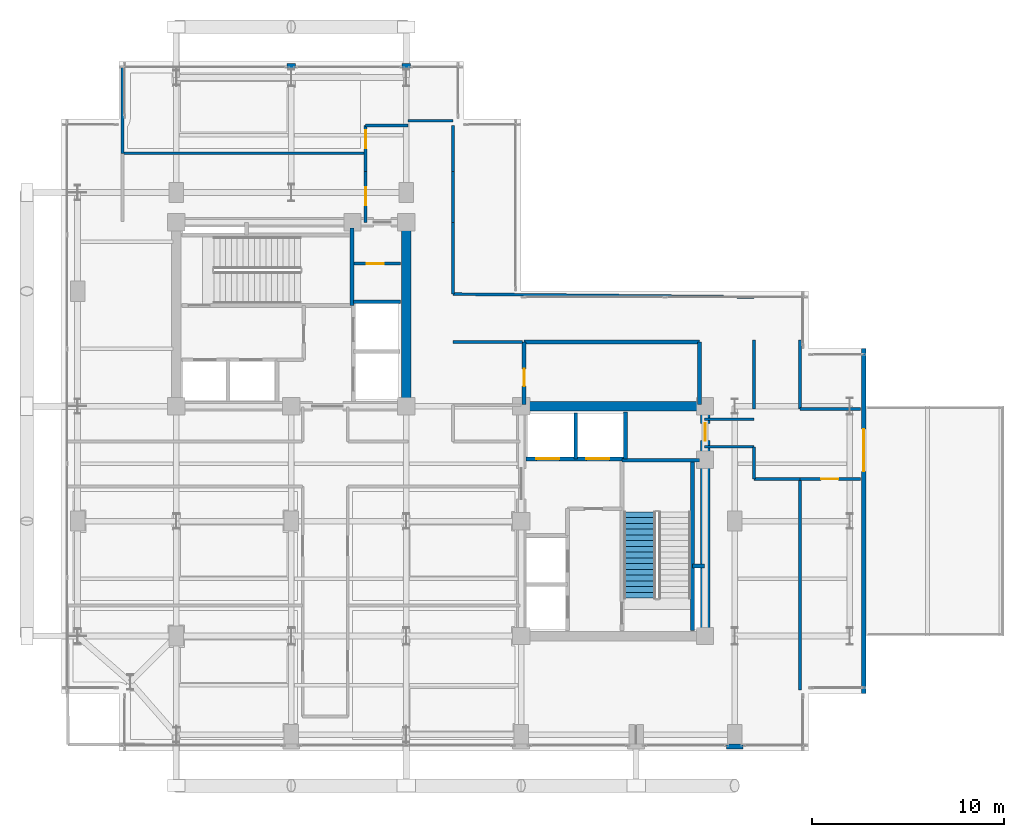
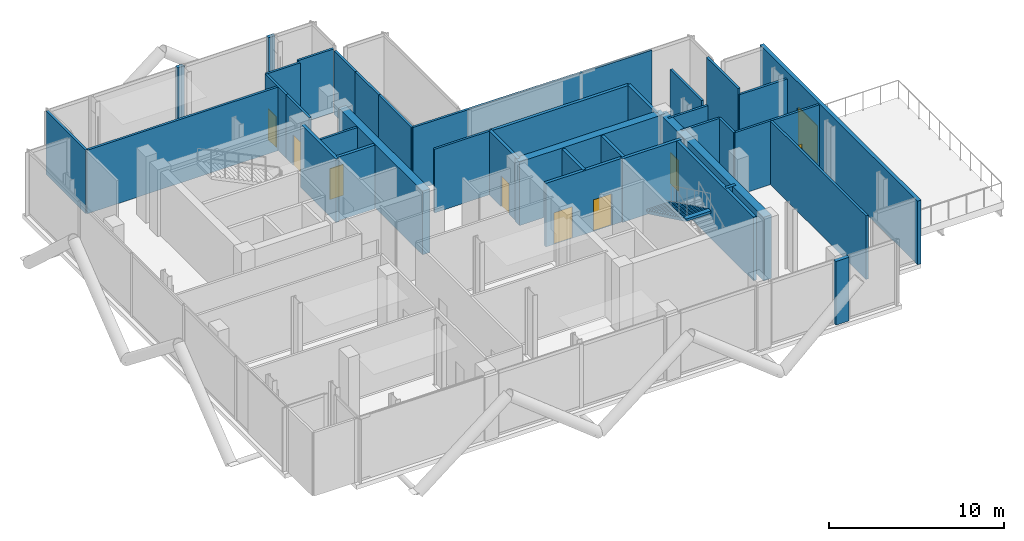
# One storey, part 15 of 19: 39 walls, 9 doors, 1 stair flight, 9 openings, 1 element without a shape of its own.
"""IFC4 building model written with IfcOpenShell, lengths in metres."""

from ifc_helpers import new_model, si_unit, direction, frame, frame_2d, origin, place, context, subcontext, project, spatial, polyline, rectangle, outline, extrude, material, layer, layer_set, type_object, element, fill, aggregate, save


model = new_model("IFC4")

# Units and contexts
model_context = context("Model", 3, precision=1e-05, world=origin(), true_north=direction((0.0, 1.0)))
body_context = subcontext(model_context, "Body", "Model", "MODEL_VIEW")
ifc_project = project(units=[si_unit("LENGTHUNIT", "METRE"), si_unit("AREAUNIT", "SQUARE_METRE"), si_unit("VOLUMEUNIT", "CUBIC_METRE"), si_unit("PLANEANGLEUNIT", "RADIAN"), si_unit("MASSUNIT", "GRAM", prefix="KILO"), si_unit("THERMODYNAMICTEMPERATUREUNIT", "KELVIN"), si_unit("POWERUNIT", "WATT")], contexts=[model_context])

# Site, building, storey
site_placement = place(None, origin())
site = spatial("IfcSite", under=ifc_project, at=site_placement, CompositionType="ELEMENT")
building_placement = place(site_placement, origin())
building = spatial("IfcBuilding", under=site, at=building_placement, Name="Svarakhadi Broadcast Tower", CompositionType="ELEMENT")
storey_placement = place(building_placement, frame((0.0, 0.0, 204.0)))
storey = spatial("IfcBuildingStorey", under=building, at=storey_placement, Name="L50", CompositionType="ELEMENT", Elevation=204.0)

# Wall, opening, door
ifc_material_1 = material(Name="Concrete C40/50 (IS 456 M50)", Category="concrete")
ifc_layer_1 = layer(ifc_material_1, 0.239990234375)
ifc_layer_set_1 = layer_set([ifc_layer_1], Name="Concrete C40/50 (IS 456 M50)")
wall_type_1 = type_object("IfcWallType", Name="Wall_Ext_240", PredefinedType="SOLIDWALL", material=ifc_layer_set_1)
wall_1_placement = place(storey_placement, frame((41.8798828125, 21.0, 0.0), z_axis=(0.0, 0.0, 1.0), x_axis=(0.0, -1.0, 0.0)))
wall_1 = element("IfcWall", 1, at=wall_1_placement, inside=storey, type_object=wall_type_1, Name="L50 Sky Pool Deck Access Wall", PredefinedType="SOLIDWALL", context=body_context, shape_type="SweptSolid", body=[
    extrude(rectangle(XDim=18.0, YDim=0.239990234375, at=frame_2d((9.0, 0.0))), origin(), (0.0, 0.0, 1.0), 4.43994140625),
])
opening_1_placement = place(wall_1_placement, frame((4.199951171875, 0.0, 0.0)))
opening_1 = element("IfcOpeningElement", 2, at=opening_1_placement, cuts=wall_1, Name="Opening ED-01", PredefinedType="OPENING", context=body_context, shape_type="SweptSolid", body=[
    extrude(rectangle(XDim=2.199951171875, YDim=2.60009765625, at=frame_2d((1.10009765625, 1.300048828125))), frame((0.0, 0.1298828125, 0.0), z_axis=(0.0, -1.0, 0.0), x_axis=(1.0, 0.0, 0.0)), (0.0, 0.0, 1.0), 0.260009765625),
])
ifc_material_2 = material(Name="Anodised Bronze Aluminium AA 6063-T6", Category="aluminium")
door_type_1 = type_object("IfcDoorType", Name="Door_Ext_ED01", OperationType="DOUBLE_DOOR_SINGLE_SWING", PredefinedType="DOOR", material=ifc_material_2)
door_1_placement = place(opening_1_placement, origin())
door_1 = element("IfcDoor", 3, at=door_1_placement, inside=storey, type_object=door_type_1, Name="L50 Cantilevered Sky Pool Deck Entrance Door", OperationType="DOUBLE_DOOR_SINGLE_SWING", OverallHeight=2.60009765625, OverallWidth=2.199951171875, PredefinedType="DOOR", context=body_context, shape_type="SweptSolid", body=[
    extrude(rectangle(XDim=2.199951171875, YDim=2.60009765625, at=frame_2d((1.10009765625, 1.300048828125))), frame((0.0, 0.02490234375, 0.0), z_axis=(0.0, -1.0, 0.0), x_axis=(1.0, 0.0, 0.0)), (0.0, 0.0, 1.0), 0.050048828125),
])
fill(opening_1, door_1)

# Walls
for number, where, z_axis, x_axis, name in (
    (4, (11.784912109375, 35.760009765625, 0.0), (0.0, 0.0, 1.0), (1.0, 0.0, 0.0), "L50 Perimeter Bronze Spandrel Closure Wall 01"),
    (5, (17.784912109375, 35.760009765625, 0.0), (0.0, 0.0, 1.0), (1.0, 0.0, 0.0), "L50 Perimeter Bronze Spandrel Closure Wall 02"),
):
    element("IfcWall", number, at=place(storey_placement, frame(where, z_axis=z_axis, x_axis=x_axis)), inside=storey, type_object=wall_type_1, Name=name, PredefinedType="SOLIDWALL", context=body_context, shape_type="SweptSolid", body=[
        extrude(rectangle(XDim=0.43017578125, YDim=0.239990234375, at=frame_2d((0.215087890625, 0.0))), origin(), (0.0, 0.0, 1.0), 4.43994140625),
    ])
wall_2_placement = place(storey_placement, frame((35.590087890625, 0.239990234375, 0.0), z_axis=(0.0, 0.0, 1.0), x_axis=(-1.0, 0.0, 0.0)))
element("IfcWall", 6, at=wall_2_placement, inside=storey, type_object=wall_type_1, Name="L50 Perimeter Bronze Spandrel Closure Wall 03", PredefinedType="SOLIDWALL", context=body_context, shape_type="SweptSolid", body=[
    extrude(rectangle(XDim=0.880126953125, YDim=0.239990234375, at=frame_2d((0.43994140625, 0.0))), origin(), (0.0, 0.0, 1.0), 4.43994140625),
])
ifc_layer_2 = layer(ifc_material_1, 0.199951171875)
ifc_layer_set_2 = layer_set([ifc_layer_2], Name="Concrete C40/50 (IS 456 M50)")
wall_type_2 = type_object("IfcWallType", Name="Wall_Fire_200", PredefinedType="SOLIDWALL", material=ifc_layer_set_2)
wall_3_placement = place(storey_placement, frame((32.93994140625, 9.659912109375, 0.0), z_axis=(0.0, 0.0, 1.0), x_axis=(1.0, 0.0, 0.0)))
element("IfcWall", 7, at=wall_3_placement, inside=storey, type_object=wall_type_2, Name="L50 HV Busduct Riser Shaft North Wall", PredefinedType="SOLIDWALL", context=body_context, shape_type="SweptSolid", body=[
    extrude(rectangle(XDim=0.64013671875, YDim=0.199951171875, at=frame_2d((0.320068359375, 0.0))), origin(), (0.0, 0.0, 1.0), 4.43994140625),
])

# Wall, opening, door
wall_4_placement = place(storey_placement, frame((24.14990234375, 18.10009765625, 0.0), z_axis=(0.0, 0.0, 1.0), x_axis=(0.0, 1.0, 0.0)))
wall_4 = element("IfcWall", 8, at=wall_4_placement, inside=storey, type_object=wall_type_2, Name="L50 Bank B Motor Room West Wall", PredefinedType="SOLIDWALL", context=body_context, shape_type="SweptSolid", body=[
    extrude(rectangle(XDim=3.25, YDim=0.199951171875, at=frame_2d((1.625, 0.0))), origin(), (0.0, 0.0, 1.0), 4.43994140625),
])
opening_2_placement = place(wall_4_placement, frame((0.949951171875, 0.0, 0.0)))
opening_2 = element("IfcOpeningElement", 9, at=opening_2_placement, cuts=wall_4, Name="Opening D-04", PredefinedType="OPENING", context=body_context, shape_type="SweptSolid", body=[
    extrude(rectangle(XDim=0.89990234375, YDim=2.14990234375, at=frame_2d((0.449951171875, 1.074951171875))), frame((0.0, 0.10986328125, 0.0), z_axis=(0.0, -1.0, 0.0), x_axis=(1.0, 0.0, 0.0)), (0.0, 0.0, 1.0), 0.219970703125),
])
ifc_material_3 = material(Name="Galvanised Powder-Coated Fire-Rated Steel Leaf", Category="steel")
door_type_2 = type_object("IfcDoorType", Name="Door_Fire_D04", OperationType="SINGLE_SWING_RIGHT", PredefinedType="DOOR", material=ifc_material_3)
door_2_placement = place(opening_2_placement, origin())
door_2 = element("IfcDoor", 10, at=door_2_placement, inside=storey, type_object=door_type_2, Name="L50 Bank B Lift Motor Room Door", OperationType="SINGLE_SWING_RIGHT", OverallHeight=2.14990234375, OverallWidth=0.89990234375, PredefinedType="DOOR", context=body_context, shape_type="SweptSolid", body=[
    extrude(rectangle(XDim=0.89990234375, YDim=2.14990234375, at=frame_2d((0.449951171875, 1.074951171875))), frame((0.0, 0.02490234375, 0.0), z_axis=(0.0, -1.0, 0.0), x_axis=(1.0, 0.0, 0.0)), (0.0, 0.0, 1.0), 0.050048828125),
])
fill(opening_2, door_2)

# Walls
wall_5_placement = place(storey_placement, frame((24.14990234375, 21.35009765625, 0.0), z_axis=(0.0, 0.0, 1.0), x_axis=(1.0, 0.0, 0.0)))
element("IfcWall", 11, at=wall_5_placement, inside=storey, type_object=wall_type_2, Name="L50 Bank B Motor Room North Wall", PredefinedType="SOLIDWALL", context=body_context, shape_type="SweptSolid", body=[
    extrude(rectangle(XDim=9.150146484375, YDim=0.199951171875, at=frame_2d((4.5751953125, 0.0))), origin(), (0.0, 0.0, 1.0), 4.43994140625),
])
wall_6_placement = place(storey_placement, frame((33.300048828125, 18.10009765625, 0.0), z_axis=(0.0, 0.0, 1.0), x_axis=(0.0, 1.0, 0.0)))
element("IfcWall", 12, at=wall_6_placement, inside=storey, type_object=wall_type_2, Name="L50 Bank B Motor Room East Wall", PredefinedType="SOLIDWALL", context=body_context, shape_type="SweptSolid", body=[
    extrude(rectangle(XDim=3.25, YDim=0.199951171875, at=frame_2d((1.625, 0.0))), origin(), (0.0, 0.0, 1.0), 4.43994140625),
])

# Wall, opening, door
ifc_material_4 = material(Name="Autoclaved Aerated Concrete Blockwork 150 mm", Category="masonry")
ifc_layer_3 = layer(ifc_material_4, 0.14990234375)
ifc_layer_set_3 = layer_set([ifc_layer_3], Name="Autoclaved Aerated Concrete Blockwork 150 mm")
wall_type_3 = type_object("IfcWallType", Name="Wall_Part_150", PredefinedType="PARTITIONING", material=ifc_layer_set_3)
wall_7_placement = place(storey_placement, frame((15.280029296875, 25.43994140625, 0.0), z_axis=(0.0, 0.0, 1.0), x_axis=(1.0, 0.0, 0.0)))
wall_7 = element("IfcWall", 13, at=wall_7_placement, inside=storey, type_object=wall_type_3, Name="L50 West Core Service Split Wall", PredefinedType="PARTITIONING", context=body_context, shape_type="SweptSolid", body=[
    extrude(rectangle(XDim=2.419921875, YDim=0.14990234375, at=frame_2d((1.2099609375, 0.0))), origin(), (0.0, 0.0, 1.0), 4.43994140625),
])
opening_3_placement = place(wall_7_placement, frame((0.64990234375, 0.0, 0.0)))
opening_3 = element("IfcOpeningElement", 14, at=opening_3_placement, cuts=wall_7, Name="Opening D-04", PredefinedType="OPENING", context=body_context, shape_type="SweptSolid", body=[
    extrude(rectangle(XDim=0.89990234375, YDim=2.14990234375, at=frame_2d((0.449951171875, 1.074951171875))), frame((0.0, 0.0849609375, 0.0), z_axis=(0.0, -1.0, 0.0), x_axis=(1.0, 0.0, 0.0)), (0.0, 0.0, 1.0), 0.169921875),
])
door_3_placement = place(opening_3_placement, origin())
door_3 = element("IfcDoor", 15, at=door_3_placement, inside=storey, type_object=door_type_2, Name="L50 West Core Inner Store Door", OperationType="SINGLE_SWING_RIGHT", OverallHeight=2.14990234375, OverallWidth=0.89990234375, PredefinedType="DOOR", context=body_context, shape_type="SweptSolid", body=[
    extrude(rectangle(XDim=0.89990234375, YDim=2.14990234375, at=frame_2d((0.449951171875, 1.074951171875))), frame((0.0, 0.02490234375, 0.0), z_axis=(0.0, -1.0, 0.0), x_axis=(1.0, 0.0, 0.0)), (0.0, 0.0, 1.0), 0.050048828125),
])
fill(opening_3, door_3)

wall_8_placement = place(storey_placement, frame((15.8798828125, 27.580078125, 0.0), z_axis=(0.0, 0.0, 1.0), x_axis=(0.0, 1.0, 0.0)))
wall_8 = element("IfcWall", 16, at=wall_8_placement, inside=storey, type_object=wall_type_3, Name="L50 Upper Tower Concourse Wall", PredefinedType="PARTITIONING", context=body_context, shape_type="SweptSolid", body=[
    extrude(rectangle(XDim=2.669921875, YDim=0.14990234375, at=frame_2d((1.3349609375, 0.0))), origin(), (0.0, 0.0, 1.0), 4.43994140625),
])
opening_4_placement = place(wall_8_placement, frame((0.89501953125, 0.0, 0.0)))
opening_4 = element("IfcOpeningElement", 17, at=opening_4_placement, cuts=wall_8, Name="Opening D-07", PredefinedType="OPENING", context=body_context, shape_type="SweptSolid", body=[
    extrude(rectangle(XDim=0.949951171875, YDim=2.14990234375, at=frame_2d((0.47509765625, 1.074951171875))), frame((0.0, 0.0849609375, 0.0), z_axis=(0.0, -1.0, 0.0), x_axis=(1.0, 0.0, 0.0)), (0.0, 0.0, 1.0), 0.169921875),
])
ifc_material_5 = material(Name="Solid-Core Teak Veneer Acoustic Timber Leaf", Category="wood")
door_type_3 = type_object("IfcDoorType", Name="Door_Office_D07", OperationType="SINGLE_SWING_RIGHT", PredefinedType="DOOR", material=ifc_material_5)
door_4_placement = place(opening_4_placement, origin())
door_4 = element("IfcDoor", 18, at=door_4_placement, inside=storey, type_object=door_type_3, Name="L50 L50 Private Cabana Relaxation Lounge Door", OperationType="SINGLE_SWING_RIGHT", OverallHeight=2.14990234375, OverallWidth=0.949951171875, PredefinedType="DOOR", context=body_context, shape_type="SweptSolid", body=[
    extrude(rectangle(XDim=0.949951171875, YDim=2.14990234375, at=frame_2d((0.47509765625, 1.074951171875))), frame((0.0, 0.02490234375, 0.0), z_axis=(0.0, -1.0, 0.0), x_axis=(1.0, 0.0, 0.0)), (0.0, 0.0, 1.0), 0.050048828125),
])
fill(opening_4, door_4)

wall_9_placement = place(storey_placement, frame((15.8798828125, 30.25, 0.0), z_axis=(0.0, 0.0, 1.0), x_axis=(0.0, 1.0, 0.0)))
wall_9 = element("IfcWall", 19, at=wall_9_placement, inside=storey, type_object=wall_type_3, Name="L50 Upper Tower Concourse Wall", PredefinedType="PARTITIONING", context=body_context, shape_type="SweptSolid", body=[
    extrude(rectangle(XDim=2.39990234375, YDim=0.14990234375, at=frame_2d((1.199951171875, 0.0))), origin(), (0.0, 0.0, 1.0), 4.43994140625),
])
opening_5_placement = place(wall_9_placement, frame((1.199951171875, 0.0, 0.0)))
opening_5 = element("IfcOpeningElement", 20, at=opening_5_placement, cuts=wall_9, Name="Opening D-06", PredefinedType="OPENING", context=body_context, shape_type="SweptSolid", body=[
    extrude(rectangle(XDim=0.949951171875, YDim=2.14990234375, at=frame_2d((0.47509765625, 1.074951171875))), frame((0.0, 0.0849609375, 0.0), z_axis=(0.0, -1.0, 0.0), x_axis=(1.0, 0.0, 0.0)), (0.0, 0.0, 1.0), 0.169921875),
])
door_type_4 = type_object("IfcDoorType", Name="Door_Office_D06", OperationType="SINGLE_SWING_LEFT", PredefinedType="DOOR", material=ifc_material_5)
door_5_placement = place(opening_5_placement, origin())
door_5 = element("IfcDoor", 21, at=door_5_placement, inside=storey, type_object=door_type_4, Name="L50 L50 Aquatic Club Attendant Office Door", OperationType="SINGLE_SWING_LEFT", OverallHeight=2.14990234375, OverallWidth=0.949951171875, PredefinedType="DOOR", context=body_context, shape_type="SweptSolid", body=[
    extrude(rectangle(XDim=0.949951171875, YDim=2.14990234375, at=frame_2d((0.47509765625, 1.074951171875))), frame((0.0, 0.02490234375, 0.0), z_axis=(0.0, -1.0, 0.0), x_axis=(1.0, 0.0, 0.0)), (0.0, 0.0, 1.0), 0.050048828125),
])
fill(opening_5, door_5)

# Walls
wall_10_placement = place(storey_placement, frame((15.8798828125, 32.64990234375, 0.0), z_axis=(0.0, 0.0, 1.0), x_axis=(1.0, 0.0, 0.0)))
element("IfcWall", 22, at=wall_10_placement, inside=storey, type_object=wall_type_3, Name="L50 Upper Tower Concourse Wall", PredefinedType="PARTITIONING", context=body_context, shape_type="SweptSolid", body=[
    extrude(rectangle(XDim=2.22021484375, YDim=0.14990234375, at=frame_2d((1.110107421875, 0.0))), origin(), (0.0, 0.0, 1.0), 4.43994140625),
])
wall_11_placement = place(storey_placement, frame((18.10009765625, 32.89990234375, 0.0), z_axis=(0.0, 0.0, 1.0), x_axis=(1.0, 0.0, 0.0)))
element("IfcWall", 23, at=wall_11_placement, inside=storey, type_object=wall_type_3, Name="L50 Upper Tower Concourse Wall", PredefinedType="PARTITIONING", context=body_context, shape_type="SweptSolid", body=[
    extrude(rectangle(XDim=2.349853515625, YDim=0.14990234375, at=frame_2d((1.1748046875, 0.0))), origin(), (0.0, 0.0, 1.0), 4.43994140625),
])
wall_12_placement = place(storey_placement, frame((20.449951171875, 32.64990234375, 0.0), z_axis=(0.0, 0.0, 1.0), x_axis=(0.0, -1.0, 0.0)))
element("IfcWall", 24, at=wall_12_placement, inside=storey, type_object=wall_type_3, Name="L50 Upper Tower Concourse Wall", PredefinedType="PARTITIONING", context=body_context, shape_type="SweptSolid", body=[
    extrude(rectangle(XDim=2.39990234375, YDim=0.14990234375, at=frame_2d((1.199951171875, 0.0))), origin(), (0.0, 0.0, 1.0), 4.43994140625),
])
wall_13_placement = place(storey_placement, frame((20.449951171875, 30.25, 0.0), z_axis=(0.0, 0.0, 1.0), x_axis=(0.0, -1.0, 0.0)))
element("IfcWall", 25, at=wall_13_placement, inside=storey, type_object=wall_type_3, Name="L50 Upper Tower Concourse Wall", PredefinedType="PARTITIONING", context=body_context, shape_type="SweptSolid", body=[
    extrude(rectangle(XDim=2.669921875, YDim=0.14990234375, at=frame_2d((1.3349609375, 0.0))), origin(), (0.0, 0.0, 1.0), 4.43994140625),
])
wall_14_placement = place(storey_placement, frame((20.449951171875, 27.580078125, 0.0), z_axis=(0.0, 0.0, 1.0), x_axis=(0.0, -1.0, 0.0)))
element("IfcWall", 26, at=wall_14_placement, inside=storey, type_object=wall_type_3, Name="L50 Upper Tower Concourse Wall", PredefinedType="PARTITIONING", context=body_context, shape_type="SweptSolid", body=[
    extrude(rectangle(XDim=3.72998046875, YDim=0.14990234375, at=frame_2d((1.864990234375, 0.0))), origin(), (0.0, 0.0, 1.0), 4.43994140625),
])
wall_15_placement = place(storey_placement, frame((20.449951171875, 23.85009765625, 0.0), z_axis=(0.0, 0.0, 1.0), x_axis=(0.99995427287, -0.009563062774, 0.0)))
element("IfcWall", 27, at=wall_15_placement, inside=storey, type_object=wall_type_3, Name="L50 Upper Tower Concourse Wall", PredefinedType="PARTITIONING", context=body_context, shape_type="SweptSolid", body=[
    extrude(rectangle(XDim=15.70068359375, YDim=0.14990234375, at=frame_2d((7.850341796875, 0.0))), origin(), (0.0, 0.0, 1.0), 4.43994140625),
])
wall_16_placement = place(storey_placement, frame((38.550048828125, 21.449951171875, 0.0), z_axis=(0.0, 0.0, 1.0), x_axis=(0.0, -1.0, 0.0)))
element("IfcWall", 28, at=wall_16_placement, inside=storey, type_object=wall_type_3, Name="L50 Upper Tower Concourse Wall", PredefinedType="PARTITIONING", context=body_context, shape_type="SweptSolid", body=[
    extrude(rectangle(XDim=3.599853515625, YDim=0.14990234375, at=frame_2d((1.7998046875, 0.0))), origin(), (0.0, 0.0, 1.0), 4.43994140625),
])
wall_17_placement = place(storey_placement, frame((38.550048828125, 17.85009765625, 0.0), z_axis=(0.0, 0.0, 1.0), x_axis=(1.0, 0.0, 0.0)))
element("IfcWall", 29, at=wall_17_placement, inside=storey, type_object=wall_type_3, Name="L50 Upper Tower Concourse Wall", PredefinedType="PARTITIONING", context=body_context, shape_type="SweptSolid", body=[
    extrude(rectangle(XDim=3.14990234375, YDim=0.14990234375, at=frame_2d((1.574951171875, 0.0))), origin(), (0.0, 0.0, 1.0), 4.031982421875),
])

# Wall, opening, door
wall_18_placement = place(storey_placement, frame((41.699951171875, 14.199951171875, 0.0), z_axis=(0.0, 0.0, 1.0), x_axis=(-1.0, 0.0, 0.0)))
wall_18 = element("IfcWall", 30, at=wall_18_placement, inside=storey, type_object=wall_type_3, Name="L50 Upper Tower Concourse Wall", PredefinedType="PARTITIONING", context=body_context, shape_type="SweptSolid", body=[
    extrude(rectangle(XDim=3.14990234375, YDim=0.14990234375, at=frame_2d((1.574951171875, 0.0))), origin(), (0.0, 0.0, 1.0), 4.43994140625),
])
opening_6_placement = place(wall_18_placement, frame((1.14990234375, 0.0, 0.0)))
opening_6 = element("IfcOpeningElement", 31, at=opening_6_placement, cuts=wall_18, Name="Opening D-13", PredefinedType="OPENING", context=body_context, shape_type="SweptSolid", body=[
    extrude(rectangle(XDim=0.89990234375, YDim=2.10009765625, at=frame_2d((0.449951171875, 1.050048828125))), frame((0.0, 0.0849609375, 0.0), z_axis=(0.0, -1.0, 0.0), x_axis=(1.0, 0.0, 0.0)), (0.0, 0.0, 1.0), 0.169921875),
])
door_type_5 = type_object("IfcDoorType", Name="Door_Closet_D13", OperationType="SINGLE_SWING_RIGHT", PredefinedType="DOOR", material=ifc_material_5)
door_6_placement = place(opening_6_placement, origin())
door_6 = element("IfcDoor", 32, at=door_6_placement, inside=storey, type_object=door_type_5, Name="L50 L50 Swimmer Shower and Changing Room Door", OperationType="SINGLE_SWING_RIGHT", OverallHeight=2.10009765625, OverallWidth=0.89990234375, PredefinedType="DOOR", context=body_context, shape_type="SweptSolid", body=[
    extrude(rectangle(XDim=0.89990234375, YDim=2.10009765625, at=frame_2d((0.449951171875, 1.050048828125))), frame((0.0, 0.02490234375, 0.0), z_axis=(0.0, -1.0, 0.0), x_axis=(1.0, 0.0, 0.0)), (0.0, 0.0, 1.0), 0.050048828125),
])
fill(opening_6, door_6)

# Walls
wall_19_placement = place(storey_placement, frame((38.550048828125, 14.199951171875, 0.0), z_axis=(0.0, 0.0, 1.0), x_axis=(-1.0, 0.0, 0.0)))
element("IfcWall", 33, at=wall_19_placement, inside=storey, type_object=wall_type_3, Name="L50 Upper Tower Concourse Wall", PredefinedType="PARTITIONING", context=body_context, shape_type="SweptSolid", body=[
    extrude(rectangle(XDim=2.400146484375, YDim=0.14990234375, at=frame_2d((1.2001953125, 0.0))), origin(), (0.0, 0.0, 1.0), 4.43994140625),
])
wall_20_placement = place(storey_placement, frame((36.14990234375, 14.199951171875, 0.0), z_axis=(0.0, 0.0, 1.0), x_axis=(0.0, 1.0, 0.0)))
element("IfcWall", 34, at=wall_20_placement, inside=storey, type_object=wall_type_3, Name="L50 Upper Tower Concourse Wall", PredefinedType="PARTITIONING", context=body_context, shape_type="SweptSolid", body=[
    extrude(rectangle(XDim=1.679931640625, YDim=0.14990234375, at=frame_2d((0.83984375, 0.0))), origin(), (0.0, 0.0, 1.0), 4.43994140625),
])
for number, where, z_axis, x_axis, name in (
    (35, (36.14990234375, 15.8798828125, 0.0), (0.0, 0.0, 1.0), (-1.0, 0.0, 0.0), "L50 Upper Tower Concourse Wall"),
    (36, (33.580078125, 17.320068359375, 0.0), (0.0, 0.0, 1.0), (1.0, 0.0, 0.0), "L50 Upper Tower Concourse Wall"),
):
    element("IfcWall", number, at=place(storey_placement, frame(where, z_axis=z_axis, x_axis=x_axis)), inside=storey, type_object=wall_type_3, Name=name, PredefinedType="PARTITIONING", context=body_context, shape_type="SweptSolid", body=[
        extrude(rectangle(XDim=2.56982421875, YDim=0.14990234375, at=frame_2d((1.284912109375, 0.0))), origin(), (0.0, 0.0, 1.0), 4.43994140625),
    ])
wall_21_placement = place(storey_placement, frame((36.14990234375, 17.85009765625, 0.0), z_axis=(0.0, 0.0, 1.0), x_axis=(0.0, 1.0, 0.0)))
element("IfcWall", 37, at=wall_21_placement, inside=storey, type_object=wall_type_3, Name="L50 Upper Tower Concourse Wall", PredefinedType="PARTITIONING", context=body_context, shape_type="SweptSolid", body=[
    extrude(rectangle(XDim=3.599853515625, YDim=0.14990234375, at=frame_2d((1.7998046875, 0.0))), origin(), (0.0, 0.0, 1.0), 4.43994140625),
])
wall_22_placement = place(storey_placement, frame((20.449951171875, 21.35009765625, 0.0), z_axis=(0.0, 0.0, 1.0), x_axis=(1.0, 0.0, 0.0)))
element("IfcWall", 38, at=wall_22_placement, inside=storey, type_object=wall_type_3, Name="L50 Upper Tower Concourse Wall", PredefinedType="PARTITIONING", context=body_context, shape_type="SweptSolid", body=[
    extrude(rectangle(XDim=3.630126953125, YDim=0.14990234375, at=frame_2d((1.81494140625, 0.0))), origin(), (0.0, 0.0, 1.0), 4.43994140625),
])
wall_23_placement = place(storey_placement, frame((38.550048828125, 3.199951171875, 0.0), z_axis=(0.0, 0.0, 1.0), x_axis=(0.0, 1.0, 0.0)))
element("IfcWall", 39, at=wall_23_placement, inside=storey, type_object=wall_type_3, Name="L50 L50 Swimmer Shower and Changing Room Wall", PredefinedType="PARTITIONING", context=body_context, shape_type="SweptSolid", body=[
    extrude(rectangle(XDim=11.0, YDim=0.14990234375, at=frame_2d((5.5, 0.0))), origin(), (0.0, 0.0, 1.0), 4.43994140625),
])
wall_24_placement = place(storey_placement, frame((3.199951171875, 31.199951171875, 0.0), z_axis=(0.0, 0.0, 1.0), x_axis=(1.0, 0.0, 0.0)))
element("IfcWall", 40, at=wall_24_placement, inside=storey, type_object=wall_type_3, Name="L50 L50 Private Cabana Relaxation Lounge Wall", PredefinedType="PARTITIONING", context=body_context, shape_type="SweptSolid", body=[
    extrude(rectangle(XDim=12.679931640625, YDim=0.14990234375, at=frame_2d((6.33984375, 0.0))), origin(), (0.0, 0.0, 1.0), 4.43994140625),
])
wall_25_placement = place(storey_placement, frame((3.199951171875, 31.199951171875, 0.0), z_axis=(0.0, 0.0, 1.0), x_axis=(0.0, 1.0, 0.0)))
element("IfcWall", 41, at=wall_25_placement, inside=storey, type_object=wall_type_3, Name="L50 L50 Aquatic Club Attendant Office Wall", PredefinedType="PARTITIONING", context=body_context, shape_type="SweptSolid", body=[
    extrude(rectangle(XDim=4.5, YDim=0.14990234375, at=frame_2d((2.25, 0.0))), origin(), (0.0, 0.0, 1.0), 4.43994140625),
])
ifc_material_6 = material(Name="Concrete C50/60 (IS 456 M60)", Category="concrete")
ifc_layer_4 = layer(ifc_material_6, 0.199951171875)
ifc_layer_set_4 = layer_set([ifc_layer_4], Name="Concrete C50/60 (IS 456 M60)")
wall_type_4 = type_object("IfcWallType", Name="Wall_Shear_200", PredefinedType="SHEAR", material=ifc_layer_set_4)
wall_26_placement = place(storey_placement, frame((15.179931640625, 23.260009765625, 0.0), z_axis=(0.0, 0.0, 1.0), x_axis=(0.0, 1.0, 0.0)))
element("IfcWall", 42, at=wall_26_placement, inside=storey, type_object=wall_type_4, Name="L50 Stair ST-01 East RC Shaft Wall", PredefinedType="SHEAR", context=body_context, shape_type="SweptSolid", body=[
    extrude(rectangle(XDim=4.0400390625, YDim=0.199951171875, at=frame_2d((2.02001953125, 0.0))), origin(), (0.0, 0.0, 1.0), 4.43994140625),
])
wall_27_placement = place(storey_placement, frame((32.93994140625, 6.300048828125, 0.0), z_axis=(0.0, 0.0, 1.0), x_axis=(0.0, 1.0, 0.0)))
element("IfcWall", 43, at=wall_27_placement, inside=storey, type_object=wall_type_4, Name="L50 Stair ST-02 East RC Shaft Wall", PredefinedType="SHEAR", context=body_context, shape_type="SweptSolid", body=[
    extrude(rectangle(XDim=8.8798828125, YDim=0.199951171875, at=frame_2d((4.43994140625, 0.0))), origin(), (0.0, 0.0, 1.0), 4.43994140625),
])
wall_28_placement = place(storey_placement, frame((29.260009765625, 15.179931640625, 0.0), z_axis=(0.0, 0.0, 1.0), x_axis=(1.0, 0.0, 0.0)))
element("IfcWall", 44, at=wall_28_placement, inside=storey, type_object=wall_type_4, Name="L50 Stair ST-02 North RC Shaft Wall", PredefinedType="SHEAR", context=body_context, shape_type="SweptSolid", body=[
    extrude(rectangle(XDim=4.0400390625, YDim=0.199951171875, at=frame_2d((2.02001953125, 0.0))), origin(), (0.0, 0.0, 1.0), 4.43994140625),
])
wall_29_placement = place(storey_placement, frame((15.25, 23.449951171875, 0.0), z_axis=(0.0, 0.0, 1.0), x_axis=(1.0, 0.0, 0.0)))
element("IfcWall", 45, at=wall_29_placement, inside=storey, type_object=wall_type_4, Name="L50 High-Rise Lift LF-13/14 North Wall", PredefinedType="SHEAR", context=body_context, shape_type="SweptSolid", body=[
    extrude(rectangle(XDim=2.449951171875, YDim=0.199951171875, at=frame_2d((1.22509765625, 0.0))), origin(), (0.0, 0.0, 1.0), 4.43994140625),
])

# Wall, openings, doors
wall_30_placement = place(storey_placement, frame((24.25, 15.25, 0.0), z_axis=(0.0, 0.0, 1.0), x_axis=(1.0, 0.0, 0.0)))
wall_30 = element("IfcWall", 46, at=wall_30_placement, inside=storey, type_object=wall_type_4, Name="L50 High-Rise Lift LF-15/16 South Shaft Wall", PredefinedType="SHEAR", context=body_context, shape_type="SweptSolid", body=[
    extrude(rectangle(XDim=5.199951171875, YDim=0.199951171875, at=frame_2d((2.60009765625, 0.0))), origin(), (0.0, 0.0, 1.0), 4.43994140625),
])
opening_7_placement = place(wall_30_placement, frame((0.550048828125, 0.0, 0.0)))
opening_7 = element("IfcOpeningElement", 47, at=opening_7_placement, cuts=wall_30, Name="Opening LD-02", PredefinedType="OPENING", context=body_context, shape_type="SweptSolid", body=[
    extrude(rectangle(XDim=1.199951171875, YDim=2.199951171875, at=frame_2d((0.60009765625, 1.10009765625))), frame((0.0, 0.10986328125, 0.0), z_axis=(0.0, -1.0, 0.0), x_axis=(1.0, 0.0, 0.0)), (0.0, 0.0, 1.0), 0.219970703125),
])
opening_8_placement = place(wall_30_placement, frame((3.14990234375, 0.0, 0.0)))
opening_8 = element("IfcOpeningElement", 48, at=opening_8_placement, cuts=wall_30, Name="Opening LD-02", PredefinedType="OPENING", context=body_context, shape_type="SweptSolid", body=[
    extrude(rectangle(XDim=1.199951171875, YDim=2.199951171875, at=frame_2d((0.60009765625, 1.10009765625))), frame((0.0, 0.10986328125, 0.0), z_axis=(0.0, -1.0, 0.0), x_axis=(1.0, 0.0, 0.0)), (0.0, 0.0, 1.0), 0.219970703125),
])
door_type_6 = type_object("IfcDoorType", Name="Door_Lift_LD02", OperationType="SLIDING_TO_RIGHT", PredefinedType="DOOR", material=ifc_material_3)
door_7_placement = place(opening_7_placement, origin())
door_7 = element("IfcDoor", 49, at=door_7_placement, inside=storey, type_object=door_type_6, Name="L50 High-Rise Lift LF-15 Landing Door", OperationType="SLIDING_TO_RIGHT", OverallHeight=2.199951171875, OverallWidth=1.199951171875, PredefinedType="DOOR", context=body_context, shape_type="SweptSolid", body=[
    extrude(rectangle(XDim=1.199951171875, YDim=2.199951171875, at=frame_2d((0.60009765625, 1.10009765625))), frame((0.0, 0.02490234375, 0.0), z_axis=(0.0, -1.0, 0.0), x_axis=(1.0, 0.0, 0.0)), (0.0, 0.0, 1.0), 0.050048828125),
])
fill(opening_7, door_7)
door_8_placement = place(opening_8_placement, origin())
door_8 = element("IfcDoor", 50, at=door_8_placement, inside=storey, type_object=door_type_6, Name="L50 High-Rise Lift LF-16 Landing Door", OperationType="SLIDING_TO_RIGHT", OverallHeight=2.199951171875, OverallWidth=1.199951171875, PredefinedType="DOOR", context=body_context, shape_type="SweptSolid", body=[
    extrude(rectangle(XDim=1.199951171875, YDim=2.199951171875, at=frame_2d((0.60009765625, 1.10009765625))), frame((0.0, 0.02490234375, 0.0), z_axis=(0.0, -1.0, 0.0), x_axis=(1.0, 0.0, 0.0)), (0.0, 0.0, 1.0), 0.050048828125),
])
fill(opening_8, door_8)

# Walls
wall_31_placement = place(storey_placement, frame((26.85009765625, 15.25, 0.0), z_axis=(0.0, 0.0, 1.0), x_axis=(0.0, 1.0, 0.0)))
element("IfcWall", 51, at=wall_31_placement, inside=storey, type_object=wall_type_4, Name="L50 High-Rise Lift LF-15/16 Divider", PredefinedType="SHEAR", context=body_context, shape_type="SweptSolid", body=[
    extrude(rectangle(XDim=2.39990234375, YDim=0.199951171875, at=frame_2d((1.199951171875, 0.0))), origin(), (0.0, 0.0, 1.0), 4.43994140625),
])
wall_32_placement = place(storey_placement, frame((29.449951171875, 15.25, 0.0), z_axis=(0.0, 0.0, 1.0), x_axis=(0.0, 1.0, 0.0)))
element("IfcWall", 52, at=wall_32_placement, inside=storey, type_object=wall_type_4, Name="L50 High-Rise Lift LF-15/16 East Wall", PredefinedType="SHEAR", context=body_context, shape_type="SweptSolid", body=[
    extrude(rectangle(XDim=2.449951171875, YDim=0.199951171875, at=frame_2d((1.22509765625, 0.0))), origin(), (0.0, 0.0, 1.0), 4.43994140625),
])
ifc_layer_5 = layer(ifc_material_6, 0.5)
ifc_layer_set_5 = layer_set([ifc_layer_5], Name="Concrete C50/60 (IS 456 M60)")
wall_type_5 = type_object("IfcWallType", Name="Wall_Shear_500", PredefinedType="SHEAR", material=ifc_layer_set_5)
for number, where, z_axis, x_axis, name in (
    (53, (18.0, 18.0, 0.0), (0.0, 0.0, 1.0), (0.0, 1.0, 0.0), "L50 West Core East Shear Wall"),
    (54, (24.0, 18.0, 0.0), (0.0, 0.0, 1.0), (1.0, 0.0, 0.0), "L50 East Core North Shear Wall"),
):
    element("IfcWall", number, at=place(storey_placement, frame(where, z_axis=z_axis, x_axis=x_axis)), inside=storey, type_object=wall_type_5, Name=name, PredefinedType="SHEAR", context=body_context, shape_type="SweptSolid", body=[
        extrude(rectangle(XDim=9.60009765625, YDim=0.5, at=frame_2d((4.800048828125, 0.0))), origin(), (0.0, 0.0, 1.0), 4.43994140625),
    ])

# Wall, opening, door
wall_33_placement = place(storey_placement, frame((33.60009765625, 6.0, 0.0), z_axis=(0.0, 0.0, 1.0), x_axis=(0.0, 1.0, 0.0)))
wall_33 = element("IfcWall", 55, at=wall_33_placement, inside=storey, type_object=wall_type_5, Name="L50 East Core East Shear Wall", PredefinedType="SHEAR", context=body_context, shape_type="SweptSolid", body=[
    extrude(rectangle(XDim=12.0, YDim=0.5, at=frame_2d((6.0, 0.0))), origin(), (0.0, 0.0, 1.0), 4.43994140625),
])
opening_9_placement = place(wall_33_placement, frame((10.199951171875, 0.0, 0.0)))
opening_9 = element("IfcOpeningElement", 56, at=opening_9_placement, cuts=wall_33, Name="Opening D-03", PredefinedType="OPENING", context=body_context, shape_type="SweptSolid", body=[
    extrude(rectangle(XDim=0.89990234375, YDim=2.14990234375, at=frame_2d((0.449951171875, 1.074951171875))), frame((0.0, 0.260009765625, 0.0), z_axis=(0.0, -1.0, 0.0), x_axis=(1.0, 0.0, 0.0)), (0.0, 0.0, 1.0), 0.52001953125),
])
door_type_7 = type_object("IfcDoorType", Name="Door_Fire_D03", OperationType="SINGLE_SWING_LEFT", PredefinedType="DOOR", material=ifc_material_3)
door_9_placement = place(opening_9_placement, origin())
door_9 = element("IfcDoor", 57, at=door_9_placement, inside=storey, type_object=door_type_7, Name="L50 East Core Service Store Door", OperationType="SINGLE_SWING_LEFT", OverallHeight=2.14990234375, OverallWidth=0.89990234375, PredefinedType="DOOR", context=body_context, shape_type="SweptSolid", body=[
    extrude(rectangle(XDim=0.89990234375, YDim=2.14990234375, at=frame_2d((0.449951171875, 1.074951171875))), frame((0.0, 0.02490234375, 0.0), z_axis=(0.0, -1.0, 0.0), x_axis=(1.0, 0.0, 0.0)), (0.0, 0.0, 1.0), 0.050048828125),
])
fill(opening_9, door_9)

# Stair, stair flight
stair_type = type_object("IfcStairType", Name="Stair_Exit_Core", PredefinedType="HALF_TURN_STAIR", material=ifc_material_1)
stair_placement = place(storey_placement, origin())
stair = element("IfcStair", 58, at=stair_placement, inside=storey, type_object=stair_type, Name="L50 East Core Protected Exit Stair ST-02", PredefinedType="HALF_TURN_STAIR")
stair_flight_type = type_object("IfcStairFlightType", Name="Flight_RC_1680", PredefinedType="STRAIGHT", material=ifc_material_1)
stair_flight_placement = place(storey_placement, frame((30.18994140625, 12.47998046875, 2.324951171875), z_axis=(0.0, 0.0, 1.0), x_axis=(0.0, -1.0, 0.0)))
stair_flight = element("IfcStairFlight", 59, at=stair_flight_placement, type_object=stair_flight_type, Name="ST-02 flight 2", NumberOfRisers=16, NumberOfTreads=15, PredefinedType="STRAIGHT", RiserHeight=0.1453125, TreadLength=0.3, context=body_context, shape_type="SweptSolid", body=[
    extrude(outline(polyline([(0.0, 0.0), (0.0, 0.145263671875), (0.300048828125, 0.145263671875), (0.300048828125, 0.29052734375), (0.60009765625, 0.29052734375), (0.60009765625, 0.43603515625), (0.89990234375, 0.43603515625), (0.89990234375, 0.581298828125), (1.199951171875, 0.581298828125), (1.199951171875, 0.7265625), (1.5, 0.7265625), (1.5, 0.871826171875), (1.800048828125, 0.871826171875), (1.800048828125, 1.01708984375), (2.10009765625, 1.01708984375), (2.10009765625, 1.16259765625), (2.39990234375, 1.16259765625), (2.39990234375, 1.307861328125), (2.699951171875, 1.307861328125), (2.699951171875, 1.453125), (3.0, 1.453125), (3.0, 1.598388671875), (3.300048828125, 1.598388671875), (3.300048828125, 1.74365234375), (3.60009765625, 1.74365234375), (3.60009765625, 1.88916015625), (3.89990234375, 1.88916015625), (3.89990234375, 2.034423828125), (4.199951171875, 2.034423828125), (4.199951171875, 2.1796875), (4.5, 2.1796875), (4.5, 2.324951171875), (4.5, 2.01318359375), (0.34375, 0.0), (0.0, 0.0)])), frame((0.0, 0.830078125, 0.0), z_axis=(0.0, -1.0, 0.0), x_axis=(1.0, 0.0, 0.0)), (0.0, 0.0, 1.0), 1.659912109375),
])
aggregate(stair, [stair_flight])

save(model, "model.ifc")
